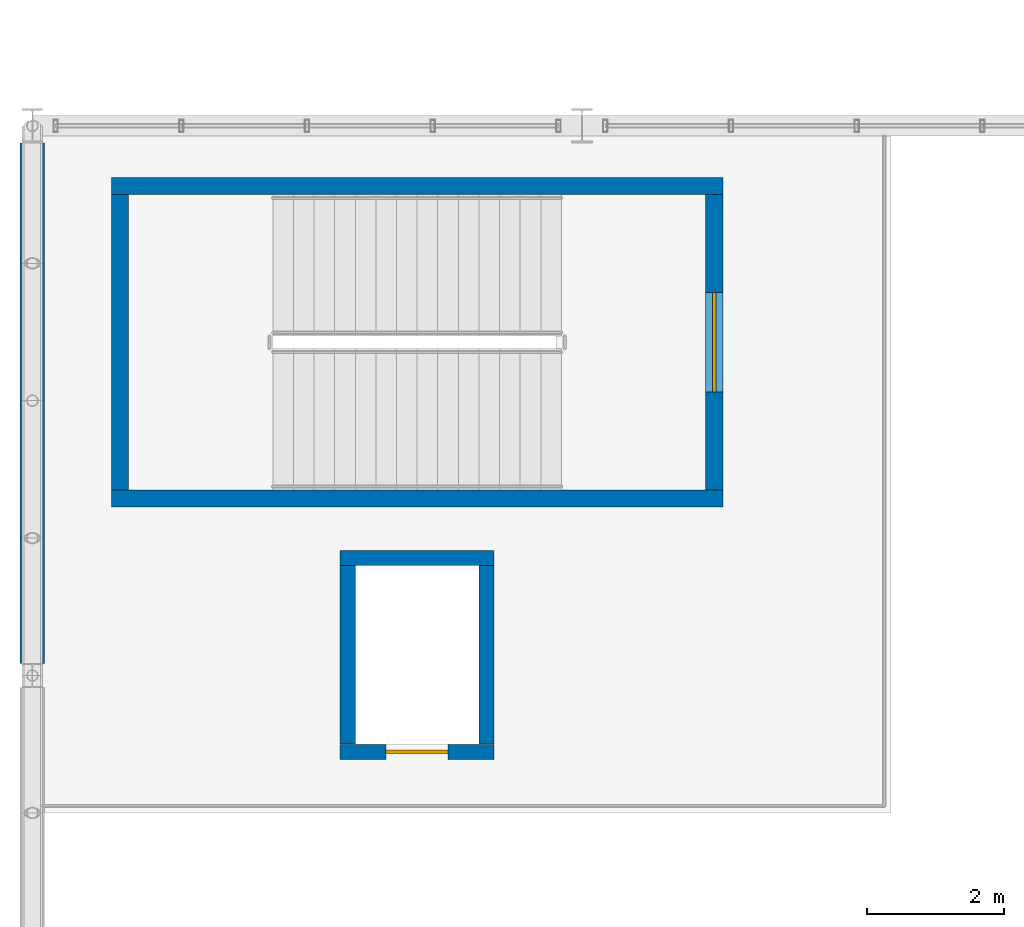
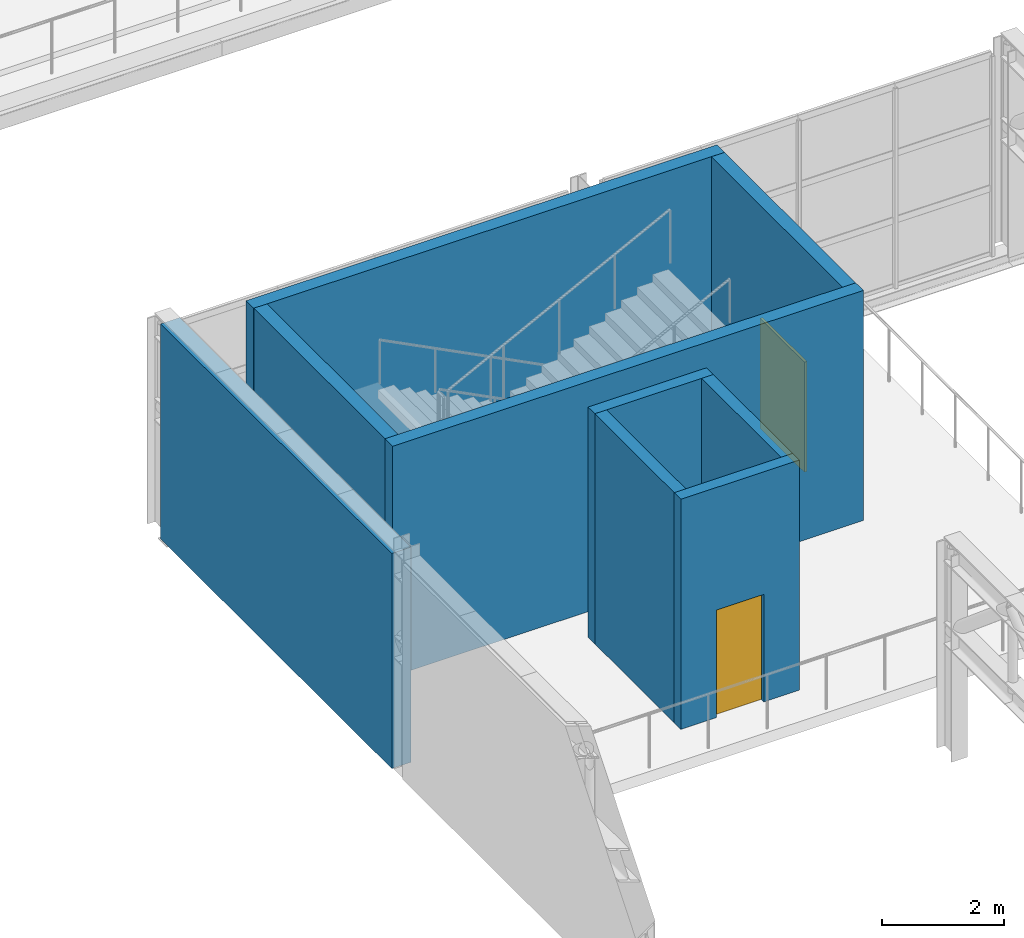
# One storey, part 58 of 67: 9 walls, 2 doors, 2 openings.
"""IFC4 building model written with IfcOpenShell, lengths in metres."""

from ifc_helpers import new_model, si_unit, derived_unit, direction, frame, frame_2d, origin, place, context, subcontext, project, spatial, rectangle, extrude, material, layer, layer_set, type_object, element, fill, save


model = new_model("IFC4")

# Units and contexts
model_context = context("Model", 3, precision=1e-05, world=origin(), true_north=direction((0.0, 1.0)))
body_context = subcontext(model_context, "Body", "Model", "MODEL_VIEW")
ifc_project = project(units=[si_unit("LENGTHUNIT", "METRE"), si_unit("AREAUNIT", "SQUARE_METRE"), si_unit("VOLUMEUNIT", "CUBIC_METRE"), si_unit("PLANEANGLEUNIT", "RADIAN"), si_unit("MASSUNIT", "GRAM", prefix="KILO"), derived_unit("THERMALTRANSMITTANCEUNIT", [(si_unit("POWERUNIT", "WATT"), 1), (si_unit("LENGTHUNIT", "METRE"), -2), (si_unit("THERMODYNAMICTEMPERATUREUNIT", "KELVIN"), -1)])], contexts=[model_context])

# Site, building, storey
site_placement = place(None, origin())
site = spatial("IfcSite", under=ifc_project, at=site_placement, CompositionType="ELEMENT")
building_placement = place(site_placement, origin())
building = spatial("IfcBuilding", under=site, at=building_placement, Name="Keldorne Ridge Multi-Sports Centre", CompositionType="ELEMENT")
storey_placement = place(building_placement, frame((0.0, 0.0, 14.0)))
storey = spatial("IfcBuildingStorey", under=building, at=storey_placement, Name="L03", CompositionType="ELEMENT", Elevation=14.0)

# Wall
ifc_material_1 = material(Name="Precast concrete C40/50", Category="concrete")
ifc_layer_1 = layer(ifc_material_1, 0.360107421875)
ifc_layer_set_1 = layer_set([ifc_layer_1], Name="Precast concrete C40/50")
wall_type_1 = type_object("IfcWallType", Name="WAL-PR-W2", PredefinedType="STANDARD", material=ifc_layer_set_1)
wall_1_placement = place(storey_placement, frame((104.0, 53.748046875, 0.0), z_axis=(0.0, 0.0, 1.0), x_axis=(0.0, -1.0, 0.0)))
element("IfcWall", 1, at=wall_1_placement, inside=storey, type_object=wall_type_1, Name="Stacked Courts movement-joint wall L03.6", PredefinedType="STANDARD", context=body_context, shape_type="SweptSolid", body=[
    extrude(rectangle(XDim=7.571044921875, YDim=0.360107421875, at=frame_2d((3.78564453125, 0.0))), origin(), (0.0, 0.0, 1.0), 4.300048828125),
])

# Wall, opening, door
ifc_material_2 = material(Name="Concrete C40/50", Category="concrete")
ifc_layer_2 = layer(ifc_material_2, 0.25)
ifc_layer_set_2 = layer_set([ifc_layer_2], Name="Concrete C40/50")
wall_type_2 = type_object("IfcWallType", Name="WAL-SW01", PredefinedType="SHEAR", material=ifc_layer_set_2)
wall_2_placement = place(storey_placement, frame((113.925048828125, 48.699951171875, 0.0), z_axis=(0.0, 0.0, 1.0), x_axis=(0.0, 1.0, 0.0)))
wall_2 = element("IfcWall", 2, at=wall_2_placement, inside=storey, type_object=wall_type_2, Name="Stair ST-04 shaft wall L03 NEAR", PredefinedType="SHEAR", context=body_context, shape_type="SweptSolid", body=[
    extrude(rectangle(XDim=4.300048828125, YDim=0.25, at=frame_2d((2.14990234375, 0.0))), origin(), (0.0, 0.0, 1.0), 4.60009765625),
])
opening_1_placement = place(wall_2_placement, frame((1.425048828125, 0.0, 0.0)))
opening_1 = element("IfcOpeningElement", 3, at=opening_1_placement, cuts=wall_2, Name="Opening D-05", PredefinedType="OPENING", context=body_context, shape_type="SweptSolid", body=[
    extrude(rectangle(XDim=1.449951171875, YDim=2.199951171875, at=frame_2d((0.72509765625, 1.10009765625))), frame((0.0, 0.135009765625, 0.0), z_axis=(0.0, -1.0, 0.0), x_axis=(1.0, 0.0, 0.0)), (0.0, 0.0, 1.0), 0.27001953125),
])
ifc_material_3 = material(Name="Steel fire-resisting pair", Category="steel")
door_type_1 = type_object("IfcDoorType", Name="DR-D-05", OperationType="NOTDEFINED", PredefinedType="DOOR", material=ifc_material_3)
door_1_placement = place(opening_1_placement, origin())
door_1 = element("IfcDoor", 4, at=door_1_placement, inside=storey, type_object=door_type_1, Name="Stair ST-04 L03 fire door D-022", OperationType="DOUBLE_DOOR_SINGLE_SWING", OverallHeight=2.199951171875, OverallWidth=1.449951171875, PredefinedType="DOOR", context=body_context, shape_type="SweptSolid", body=[
    extrude(rectangle(XDim=1.449951171875, YDim=2.199951171875, at=frame_2d((0.72509765625, 1.10009765625))), frame((0.0, 0.02490234375, 0.0), z_axis=(0.0, -1.0, 0.0), x_axis=(1.0, 0.0, 0.0)), (0.0, 0.0, 1.0), 0.050048828125),
])
fill(opening_1, door_1)

# Walls
wall_3_placement = place(storey_placement, frame((105.27490234375, 53.0, 0.0), z_axis=(0.0, 0.0, 1.0), x_axis=(0.0, -1.0, 0.0)))
element("IfcWall", 5, at=wall_3_placement, inside=storey, type_object=wall_type_2, Name="Stair ST-04 shaft wall L03 FAR", PredefinedType="SHEAR", context=body_context, shape_type="SweptSolid", body=[
    extrude(rectangle(XDim=4.300048828125, YDim=0.25, at=frame_2d((2.14990234375, 0.0))), origin(), (0.0, 0.0, 1.0), 4.60009765625),
])
for number, where, z_axis, x_axis, name in (
    (6, (105.14990234375, 48.574951171875, 0.0), (0.0, 0.0, 1.0), (1.0, 0.0, 0.0), "Stair ST-04 shaft wall L03 SOUTH"),
    (7, (114.050048828125, 53.125, 0.0), (0.0, 0.0, 1.0), (-1.0, 0.0, 0.0), "Stair ST-04 shaft wall L03 NORTH"),
):
    element("IfcWall", number, at=place(storey_placement, frame(where, z_axis=z_axis, x_axis=x_axis)), inside=storey, type_object=wall_type_2, Name=name, PredefinedType="SHEAR", context=body_context, shape_type="SweptSolid", body=[
        extrude(rectangle(XDim=8.900146484375, YDim=0.25, at=frame_2d((4.4501953125, 0.0))), origin(), (0.0, 0.0, 1.0), 4.60009765625),
    ])

# Wall, opening, door
ifc_layer_3 = layer(ifc_material_2, 0.22998046875)
ifc_layer_set_3 = layer_set([ifc_layer_3], Name="Concrete C40/50")
wall_type_3 = type_object("IfcWallType", Name="WAL-SW02", PredefinedType="SHEAR", material=ifc_layer_set_3)
wall_4_placement = place(storey_placement, frame((108.47998046875, 44.889892578125, 0.0), z_axis=(0.0, 0.0, 1.0), x_axis=(1.0, 0.0, 0.0)))
wall_4 = element("IfcWall", 8, at=wall_4_placement, inside=storey, type_object=wall_type_3, Name="Lift L-03 shaft wall L03 south", PredefinedType="SHEAR", context=body_context, shape_type="SweptSolid", body=[
    extrude(rectangle(XDim=2.239990234375, YDim=0.219970703125, at=frame_2d((1.1201171875, 0.0))), origin(), (0.0, 0.0, 1.0), 4.60009765625),
])
opening_2_placement = place(wall_4_placement, frame((0.669921875, 0.0, 0.0)))
opening_2 = element("IfcOpeningElement", 9, at=opening_2_placement, cuts=wall_4, Name="Opening LD-02", PredefinedType="OPENING", context=body_context, shape_type="SweptSolid", body=[
    extrude(rectangle(XDim=0.89990234375, YDim=2.14990234375, at=frame_2d((0.449951171875, 1.074951171875))), frame((0.0, 0.1201171875, 0.0), z_axis=(0.0, -1.0, 0.0), x_axis=(1.0, 0.0, 0.0)), (0.0, 0.0, 1.0), 0.239990234375),
])
ifc_material_4 = material(Name="Stainless steel", Category="steel")
door_type_2 = type_object("IfcDoorType", Name="DR-LD-02", OperationType="NOTDEFINED", PredefinedType="DOOR", material=ifc_material_4)
door_2_placement = place(opening_2_placement, origin())
door_2 = element("IfcDoor", 10, at=door_2_placement, inside=storey, type_object=door_type_2, Name="Lift L-03 sliding landing door L03", OperationType="SLIDING_TO_LEFT", OverallHeight=2.14990234375, OverallWidth=0.89990234375, PredefinedType="DOOR", context=body_context, shape_type="SweptSolid", body=[
    extrude(rectangle(XDim=0.89990234375, YDim=2.14990234375, at=frame_2d((0.449951171875, 1.074951171875))), frame((0.0, 0.02490234375, 0.0), z_axis=(0.0, -1.0, 0.0), x_axis=(1.0, 0.0, 0.0)), (0.0, 0.0, 1.0), 0.050048828125),
])
fill(opening_2, door_2)

# Walls
wall_5_placement = place(storey_placement, frame((110.719970703125, 47.7099609375, 0.0), z_axis=(0.0, 0.0, 1.0), x_axis=(-1.0, 0.0, 0.0)))
element("IfcWall", 11, at=wall_5_placement, inside=storey, type_object=wall_type_3, Name="Lift L-03 shaft wall L03 north", PredefinedType="SHEAR", context=body_context, shape_type="SweptSolid", body=[
    extrude(rectangle(XDim=2.239990234375, YDim=0.219970703125, at=frame_2d((1.1201171875, 0.0))), origin(), (0.0, 0.0, 1.0), 4.60009765625),
])
for number, where, z_axis, x_axis, name in (
    (12, (108.590087890625, 47.60009765625, 0.0), (0.0, 0.0, 1.0), (0.0, -1.0, 0.0), "Lift L-03 shaft wall L03 west"),
    (13, (110.610107421875, 45.0, 0.0), (0.0, 0.0, 1.0), (0.0, 1.0, 0.0), "Lift L-03 shaft wall L03 east"),
):
    element("IfcWall", number, at=place(storey_placement, frame(where, z_axis=z_axis, x_axis=x_axis)), inside=storey, type_object=wall_type_3, Name=name, PredefinedType="SHEAR", context=body_context, shape_type="SweptSolid", body=[
        extrude(rectangle(XDim=2.60009765625, YDim=0.219970703125, at=frame_2d((1.300048828125, 0.0))), origin(), (0.0, 0.0, 1.0), 4.60009765625),
    ])

save(model, "model.ifc")
